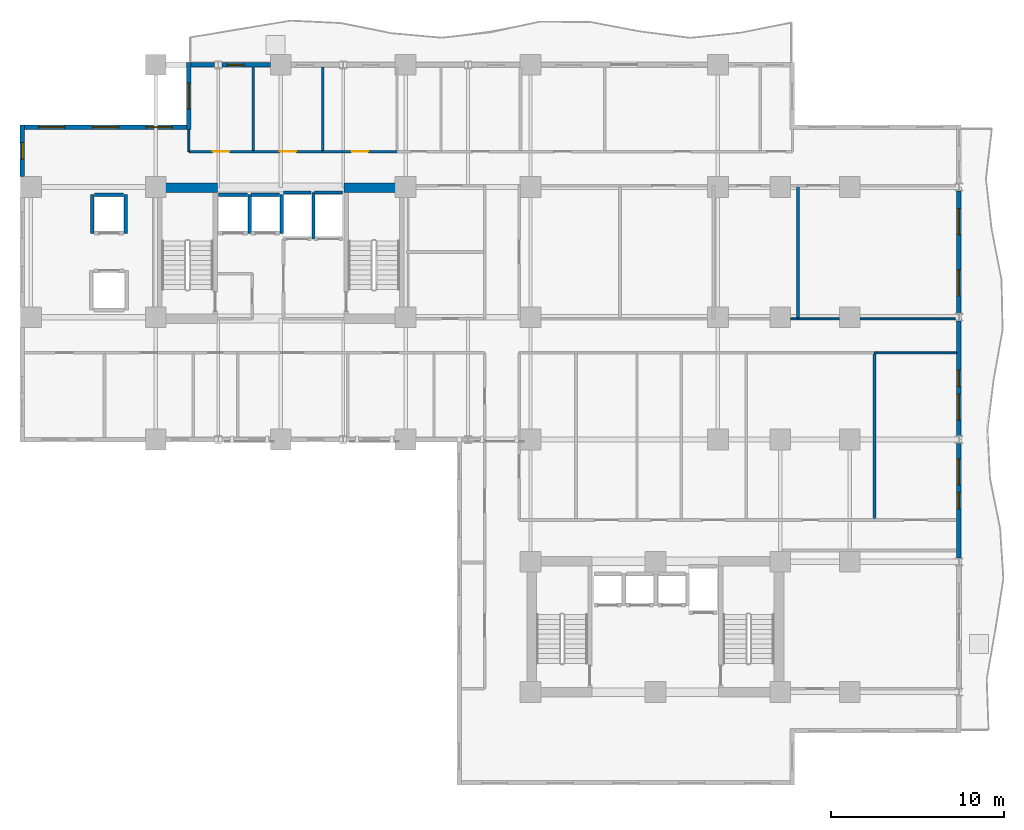
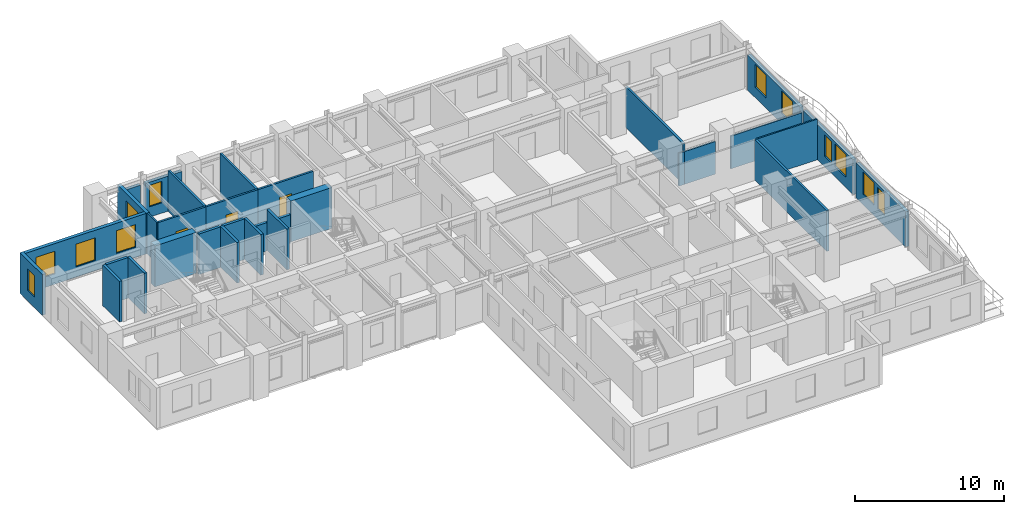
# One storey, part 6 of 11: 32 walls, 12 windows, 3 doors, 15 openings.
"""IFC4 building model written with IfcOpenShell, lengths in metres."""

from ifc_helpers import new_model, si_unit, direction, frame, frame_2d, origin, place, context, subcontext, project, spatial, rectangle, extrude, material, layer, layer_set, type_object, element, fill, save


model = new_model("IFC4")

# Units and contexts
model_context = context("Model", 3, precision=1e-05, world=origin(), true_north=direction((0.0, 1.0)))
body_context = subcontext(model_context, "Body", "Model", "MODEL_VIEW")
ifc_project = project(units=[si_unit("LENGTHUNIT", "METRE"), si_unit("AREAUNIT", "SQUARE_METRE"), si_unit("VOLUMEUNIT", "CUBIC_METRE"), si_unit("PLANEANGLEUNIT", "RADIAN"), si_unit("MASSUNIT", "GRAM", prefix="KILO")], contexts=[model_context])

# Site, building, storey
site_placement = place(None, origin())
site = spatial("IfcSite", under=ifc_project, at=site_placement, CompositionType="ELEMENT")
building_placement = place(site_placement, origin())
building = spatial("IfcBuilding", under=site, at=building_placement, Name="Kaliganga Portal Commons", CompositionType="ELEMENT")
storey_placement = place(building_placement, frame((0.0, 0.0, 126.699951171875)))
storey = spatial("IfcBuildingStorey", under=building, at=storey_placement, Name="L32", CompositionType="ELEMENT", Elevation=126.699951171875)

# Walls
ifc_material_1 = material(Name="Concrete C60/75", Category="concrete")
ifc_layer_1 = layer(ifc_material_1, 0.550048828125)
ifc_layer_set_1 = layer_set([ifc_layer_1], Name="Concrete C60/75")
wall_type_1 = type_object("IfcWallType", Name="WL-CORE-550", PredefinedType="SHEAR", material=ifc_layer_set_1)
for number, where, z_axis, x_axis, name in (
    (1, (14.75, 36.125, 0.0), (0.0, 0.0, 1.0), (1.0, 0.0, 0.0), "Core A N-West Shear Wall L32"),
    (2, (25.25, 36.125, 0.0), (0.0, 0.0, 1.0), (1.0, 0.0, 0.0), "Core A N-East Shear Wall L32"),
):
    element("IfcWall", number, at=place(storey_placement, frame(where, z_axis=z_axis, x_axis=x_axis)), inside=storey, type_object=wall_type_1, Name=name, PredefinedType="SHEAR", context=body_context, shape_type="SweptSolid", body=[
        extrude(rectangle(XDim=3.199951171875, YDim=0.550048828125, at=frame_2d((1.60009765625, 0.0))), origin(), (0.0, 0.0, 1.0), 3.340087890625),
    ])

# Wall, openings, windows
ifc_material_2 = material(Name="Insulated Aluminium-Clad Spandrel Assembly", Category="aluminium")
ifc_layer_2 = layer(ifc_material_2, 0.260009765625)
ifc_layer_set_2 = layer_set([ifc_layer_2], Name="Insulated Aluminium-Clad Spandrel Assembly")
wall_type_2 = type_object("IfcWallType", Name="WL-EXT-SPAND-260", PredefinedType="STANDARD", material=ifc_layer_set_2)
wall_1_placement = place(storey_placement, frame((60.699951171875, 21.384033203125, 0.0), z_axis=(0.0, 0.0, 1.0), x_axis=(0.0, -1.0, 0.0)))
wall_1 = element("IfcWall", 3, at=wall_1_placement, inside=storey, type_object=wall_type_2, Name="Exterior Envelope Wall L32 P1-E03-S3", PredefinedType="STANDARD", context=body_context, shape_type="SweptSolid", body=[
    extrude(rectangle(XDim=6.617919921875, YDim=0.260009765625, at=frame_2d((3.30908203125, 0.0))), origin(), (0.0, 0.0, 1.0), 2.8701171875),
])
opening_1_placement = place(wall_1_placement, frame((0.904541015625, 0.0, 0.85009765625)))
opening_1 = element("IfcOpeningElement", 4, at=opening_1_placement, cuts=wall_1, Name="Opening W-02", PredefinedType="OPENING", context=body_context, shape_type="SweptSolid", body=[
    extrude(rectangle(XDim=1.5, YDim=1.85009765625, at=frame_2d((0.75, 0.925048828125))), frame((0.0, 0.14013671875, 0.0), z_axis=(0.0, -1.0, 0.0), x_axis=(1.0, 0.0, 0.0)), (0.0, 0.0, 1.0), 0.280029296875),
])
opening_2_placement = place(wall_1_placement, frame((2.833984375, 0.0, 0.85009765625)))
opening_2 = element("IfcOpeningElement", 5, at=opening_2_placement, cuts=wall_1, Name="Opening W-04", PredefinedType="OPENING", context=body_context, shape_type="SweptSolid", body=[
    extrude(rectangle(XDim=0.949951171875, YDim=1.75, at=frame_2d((0.47509765625, 0.875))), frame((0.0, 0.14013671875, 0.0), z_axis=(0.0, -1.0, 0.0), x_axis=(1.0, 0.0, 0.0)), (0.0, 0.0, 1.0), 0.280029296875),
])
ifc_material_3 = material(Name="Thermally Broken Aluminium and Low-E Double Glazing", Category="aluminium")
window_type_1 = type_object("IfcWindowType", Name="WIN-NARROW-950", PartitioningType="SINGLE_PANEL", PredefinedType="WINDOW", material=ifc_material_3)
window_1_placement = place(opening_2_placement, origin())
window_1 = element("IfcWindow", 6, at=window_1_placement, inside=storey, type_object=window_type_1, Name="Facade Window L32-P1E03S3-N0", OverallHeight=1.75, OverallWidth=0.949951171875, PartitioningType="SINGLE_PANEL", PredefinedType="WINDOW", context=body_context, shape_type="SweptSolid", body=[
    extrude(rectangle(XDim=0.949951171875, YDim=1.75, at=frame_2d((0.47509765625, 0.875))), frame((0.0, 0.030029296875, 0.0), z_axis=(0.0, -1.0, 0.0), x_axis=(1.0, 0.0, 0.0)), (0.0, 0.0, 1.0), 0.06005859375),
])
fill(opening_2, window_1)
window_type_2 = type_object("IfcWindowType", Name="WIN-STD-1500", PartitioningType="DOUBLE_PANEL_VERTICAL", PredefinedType="WINDOW", material=ifc_material_3)
window_2_placement = place(opening_1_placement, origin())
window_2 = element("IfcWindow", 7, at=window_2_placement, inside=storey, type_object=window_type_2, Name="Facade Window L32-P1E03S3-00", OverallHeight=1.85009765625, OverallWidth=1.5, PartitioningType="SINGLE_PANEL", PredefinedType="WINDOW", context=body_context, shape_type="SweptSolid", body=[
    extrude(rectangle(XDim=1.5, YDim=1.85009765625, at=frame_2d((0.75, 0.925048828125))), frame((0.0, 0.030029296875, 0.0), z_axis=(0.0, -1.0, 0.0), x_axis=(1.0, 0.0, 0.0)), (0.0, 0.0, 1.0), 0.06005859375),
])
fill(opening_1, window_2)

wall_2_placement = place(storey_placement, frame((60.699951171875, 28.43408203125, 0.0), z_axis=(0.0, 0.0, 1.0), x_axis=(0.0, -1.0, 0.0)))
wall_2 = element("IfcWall", 8, at=wall_2_placement, inside=storey, type_object=wall_type_2, Name="Exterior Envelope Wall L32 P1-E03-S4", PredefinedType="STANDARD", context=body_context, shape_type="SweptSolid", body=[
    extrude(rectangle(XDim=6.6181640625, YDim=0.260009765625, at=frame_2d((3.30908203125, 0.0))), origin(), (0.0, 0.0, 1.0), 2.8701171875),
])
opening_3_placement = place(wall_2_placement, frame((4.21337890625, 0.0, 0.85009765625)))
opening_3 = element("IfcOpeningElement", 9, at=opening_3_placement, cuts=wall_2, Name="Opening W-02", PredefinedType="OPENING", context=body_context, shape_type="SweptSolid", body=[
    extrude(rectangle(XDim=1.5, YDim=1.85009765625, at=frame_2d((0.75, 0.925048828125))), frame((0.0, 0.14013671875, 0.0), z_axis=(0.0, -1.0, 0.0), x_axis=(1.0, 0.0, 0.0)), (0.0, 0.0, 1.0), 0.280029296875),
])
opening_4_placement = place(wall_2_placement, frame((2.833984375, 0.0, 0.85009765625)))
opening_4 = element("IfcOpeningElement", 10, at=opening_4_placement, cuts=wall_2, Name="Opening W-04", PredefinedType="OPENING", context=body_context, shape_type="SweptSolid", body=[
    extrude(rectangle(XDim=0.949951171875, YDim=1.75, at=frame_2d((0.47509765625, 0.875))), frame((0.0, 0.14013671875, 0.0), z_axis=(0.0, -1.0, 0.0), x_axis=(1.0, 0.0, 0.0)), (0.0, 0.0, 1.0), 0.280029296875),
])
window_3_placement = place(opening_4_placement, origin())
window_3 = element("IfcWindow", 11, at=window_3_placement, inside=storey, type_object=window_type_1, Name="Facade Window L32-P1E03S4-N0", OverallHeight=1.75, OverallWidth=0.949951171875, PartitioningType="SINGLE_PANEL", PredefinedType="WINDOW", context=body_context, shape_type="SweptSolid", body=[
    extrude(rectangle(XDim=0.949951171875, YDim=1.75, at=frame_2d((0.47509765625, 0.875))), frame((0.0, 0.030029296875, 0.0), z_axis=(0.0, -1.0, 0.0), x_axis=(1.0, 0.0, 0.0)), (0.0, 0.0, 1.0), 0.06005859375),
])
fill(opening_4, window_3)
window_4_placement = place(opening_3_placement, origin())
window_4 = element("IfcWindow", 12, at=window_4_placement, inside=storey, type_object=window_type_2, Name="Facade Window L32-P1E03S4-01", OverallHeight=1.85009765625, OverallWidth=1.5, PartitioningType="SINGLE_PANEL", PredefinedType="WINDOW", context=body_context, shape_type="SweptSolid", body=[
    extrude(rectangle(XDim=1.5, YDim=1.85009765625, at=frame_2d((0.75, 0.925048828125))), frame((0.0, 0.030029296875, 0.0), z_axis=(0.0, -1.0, 0.0), x_axis=(1.0, 0.0, 0.0)), (0.0, 0.0, 1.0), 0.06005859375),
])
fill(opening_3, window_4)

wall_3_placement = place(storey_placement, frame((60.699951171875, 35.93408203125, 0.0), z_axis=(0.0, 0.0, 1.0), x_axis=(0.0, -1.0, 0.0)))
wall_3 = element("IfcWall", 13, at=wall_3_placement, inside=storey, type_object=wall_type_2, Name="Exterior Envelope Wall L32 P1-E03-S5", PredefinedType="STANDARD", context=body_context, shape_type="SweptSolid", body=[
    extrude(rectangle(XDim=7.068115234375, YDim=0.260009765625, at=frame_2d((3.5341796875, 0.0))), origin(), (0.0, 0.0, 1.0), 2.8701171875),
])
opening_5_placement = place(wall_3_placement, frame((1.01708984375, 0.0, 0.85009765625)))
opening_5 = element("IfcOpeningElement", 14, at=opening_5_placement, cuts=wall_3, Name="Opening W-02", PredefinedType="OPENING", context=body_context, shape_type="SweptSolid", body=[
    extrude(rectangle(XDim=1.5, YDim=1.85009765625, at=frame_2d((0.75, 0.925048828125))), frame((0.0, 0.14013671875, 0.0), z_axis=(0.0, -1.0, 0.0), x_axis=(1.0, 0.0, 0.0)), (0.0, 0.0, 1.0), 0.280029296875),
])
opening_6_placement = place(wall_3_placement, frame((4.551025390625, 0.0, 0.85009765625)))
opening_6 = element("IfcOpeningElement", 15, at=opening_6_placement, cuts=wall_3, Name="Opening W-02", PredefinedType="OPENING", context=body_context, shape_type="SweptSolid", body=[
    extrude(rectangle(XDim=1.5, YDim=1.85009765625, at=frame_2d((0.75, 0.925048828125))), frame((0.0, 0.14013671875, 0.0), z_axis=(0.0, -1.0, 0.0), x_axis=(1.0, 0.0, 0.0)), (0.0, 0.0, 1.0), 0.280029296875),
])
window_5_placement = place(opening_5_placement, origin())
window_5 = element("IfcWindow", 16, at=window_5_placement, inside=storey, type_object=window_type_2, Name="Facade Window L32-P1E03S5-00", OverallHeight=1.85009765625, OverallWidth=1.5, PartitioningType="SINGLE_PANEL", PredefinedType="WINDOW", context=body_context, shape_type="SweptSolid", body=[
    extrude(rectangle(XDim=1.5, YDim=1.85009765625, at=frame_2d((0.75, 0.925048828125))), frame((0.0, 0.030029296875, 0.0), z_axis=(0.0, -1.0, 0.0), x_axis=(1.0, 0.0, 0.0)), (0.0, 0.0, 1.0), 0.06005859375),
])
fill(opening_5, window_5)
window_6_placement = place(opening_6_placement, origin())
window_6 = element("IfcWindow", 17, at=window_6_placement, inside=storey, type_object=window_type_2, Name="Facade Window L32-P1E03S5-01", OverallHeight=1.85009765625, OverallWidth=1.5, PartitioningType="SINGLE_PANEL", PredefinedType="WINDOW", context=body_context, shape_type="SweptSolid", body=[
    extrude(rectangle(XDim=1.5, YDim=1.85009765625, at=frame_2d((0.75, 0.925048828125))), frame((0.0, 0.030029296875, 0.0), z_axis=(0.0, -1.0, 0.0), x_axis=(1.0, 0.0, 0.0)), (0.0, 0.0, 1.0), 0.06005859375),
])
fill(opening_6, window_6)

# Wall, opening, window
wall_4_placement = place(storey_placement, frame((18.20556640625, 43.199951171875, 0.0), z_axis=(0.0, 0.0, 1.0), x_axis=(1.0, 0.0, 0.0)))
wall_4 = element("IfcWall", 18, at=wall_4_placement, inside=storey, type_object=wall_type_2, Name="Exterior Envelope Wall L32 P1-E06-S7", PredefinedType="STANDARD", context=body_context, shape_type="SweptSolid", body=[
    extrude(rectangle(XDim=2.79345703125, YDim=0.260009765625, at=frame_2d((1.396728515625, 0.0))), origin(), (0.0, 0.0, 1.0), 2.8701171875),
])
opening_7_placement = place(wall_4_placement, frame((0.30712890625, 0.0, 0.85009765625)))
opening_7 = element("IfcOpeningElement", 19, at=opening_7_placement, cuts=wall_4, Name="Opening W-04", PredefinedType="OPENING", context=body_context, shape_type="SweptSolid", body=[
    extrude(rectangle(XDim=0.949951171875, YDim=1.75, at=frame_2d((0.47509765625, 0.875))), frame((0.0, 0.14013671875, 0.0), z_axis=(0.0, -1.0, 0.0), x_axis=(1.0, 0.0, 0.0)), (0.0, 0.0, 1.0), 0.280029296875),
])
window_7_placement = place(opening_7_placement, origin())
window_7 = element("IfcWindow", 20, at=window_7_placement, inside=storey, type_object=window_type_1, Name="Facade Window L32-P1E06S7-N3", OverallHeight=1.75, OverallWidth=0.949951171875, PartitioningType="SINGLE_PANEL", PredefinedType="WINDOW", context=body_context, shape_type="SweptSolid", body=[
    extrude(rectangle(XDim=0.949951171875, YDim=1.75, at=frame_2d((0.47509765625, 0.875))), frame((0.0, 0.030029296875, 0.0), z_axis=(0.0, -1.0, 0.0), x_axis=(1.0, 0.0, 0.0)), (0.0, 0.0, 1.0), 0.06005859375),
])
fill(opening_7, window_7)

# Wall
wall_5_placement = place(storey_placement, frame((16.43505859375, 43.199951171875, 0.0), z_axis=(0.0, 0.0, 1.0), x_axis=(1.0, 0.0, 0.0)))
element("IfcWall", 21, at=wall_5_placement, inside=storey, type_object=wall_type_2, Name="Exterior Envelope Wall L32 P1-E06-S8", PredefinedType="STANDARD", context=body_context, shape_type="SweptSolid", body=[
    extrude(rectangle(XDim=1.359375, YDim=0.260009765625, at=frame_2d((0.6796875, 0.0))), origin(), (0.0, 0.0, 1.0), 2.8701171875),
])

# Wall, opening, window
wall_6_placement = place(storey_placement, frame((16.300048828125, 39.469970703125, 0.0), z_axis=(0.0, 0.0, 1.0), x_axis=(0.0, 1.0, 0.0)))
wall_6 = element("IfcWall", 22, at=wall_6_placement, inside=storey, type_object=wall_type_2, Name="Exterior Envelope Wall L32 P1-E07-S1", PredefinedType="STANDARD", context=body_context, shape_type="SweptSolid", body=[
    extrude(rectangle(XDim=3.860107421875, YDim=0.260009765625, at=frame_2d((1.93017578125, 0.0))), origin(), (0.0, 0.0, 1.0), 3.320068359375),
])
opening_8_placement = place(wall_6_placement, frame((1.179931640625, 0.0, 0.85009765625)))
opening_8 = element("IfcOpeningElement", 23, at=opening_8_placement, cuts=wall_6, Name="Opening W-02", PredefinedType="OPENING", context=body_context, shape_type="SweptSolid", body=[
    extrude(rectangle(XDim=1.5, YDim=1.85009765625, at=frame_2d((0.75, 0.925048828125))), frame((0.0, 0.14013671875, 0.0), z_axis=(0.0, -1.0, 0.0), x_axis=(1.0, 0.0, 0.0)), (0.0, 0.0, 1.0), 0.280029296875),
])
window_8_placement = place(opening_8_placement, origin())
window_8 = element("IfcWindow", 24, at=window_8_placement, inside=storey, type_object=window_type_2, Name="Facade Window L32-P1E07S1-00", OverallHeight=1.85009765625, OverallWidth=1.5, PartitioningType="SINGLE_PANEL", PredefinedType="WINDOW", context=body_context, shape_type="SweptSolid", body=[
    extrude(rectangle(XDim=1.5, YDim=1.85009765625, at=frame_2d((0.75, 0.925048828125))), frame((0.0, 0.030029296875, 0.0), z_axis=(0.0, -1.0, 0.0), x_axis=(1.0, 0.0, 0.0)), (0.0, 0.0, 1.0), 0.06005859375),
])
fill(opening_8, window_8)

# Wall, openings, windows
wall_7_placement = place(storey_placement, frame((6.8349609375, 39.60009765625, 0.0), z_axis=(0.0, 0.0, 1.0), x_axis=(1.0, 0.0, 0.0)))
wall_7 = element("IfcWall", 25, at=wall_7_placement, inside=storey, type_object=wall_type_2, Name="Exterior Envelope Wall L32 P1-E08-S1", PredefinedType="STANDARD", context=body_context, shape_type="SweptSolid", body=[
    extrude(rectangle(XDim=9.330078125, YDim=0.260009765625, at=frame_2d((4.6650390625, 0.0))), origin(), (0.0, 0.0, 1.0), 3.320068359375),
])
opening_9_placement = place(wall_7_placement, frame((0.804931640625, 0.0, 0.85009765625)))
opening_9 = element("IfcOpeningElement", 26, at=opening_9_placement, cuts=wall_7, Name="Opening W-02", PredefinedType="OPENING", context=body_context, shape_type="SweptSolid", body=[
    extrude(rectangle(XDim=1.5, YDim=1.85009765625, at=frame_2d((0.75, 0.925048828125))), frame((0.0, 0.14013671875, 0.0), z_axis=(0.0, -1.0, 0.0), x_axis=(1.0, 0.0, 0.0)), (0.0, 0.0, 1.0), 0.280029296875),
])
opening_10_placement = place(wall_7_placement, frame((3.9150390625, 0.0, 0.85009765625)))
opening_10 = element("IfcOpeningElement", 27, at=opening_10_placement, cuts=wall_7, Name="Opening W-02", PredefinedType="OPENING", context=body_context, shape_type="SweptSolid", body=[
    extrude(rectangle(XDim=1.5, YDim=1.85009765625, at=frame_2d((0.75, 0.925048828125))), frame((0.0, 0.14013671875, 0.0), z_axis=(0.0, -1.0, 0.0), x_axis=(1.0, 0.0, 0.0)), (0.0, 0.0, 1.0), 0.280029296875),
])
opening_11_placement = place(wall_7_placement, frame((7.02490234375, 0.0, 0.85009765625)))
opening_11 = element("IfcOpeningElement", 28, at=opening_11_placement, cuts=wall_7, Name="Opening W-02", PredefinedType="OPENING", context=body_context, shape_type="SweptSolid", body=[
    extrude(rectangle(XDim=1.5, YDim=1.85009765625, at=frame_2d((0.75, 0.925048828125))), frame((0.0, 0.14013671875, 0.0), z_axis=(0.0, -1.0, 0.0), x_axis=(1.0, 0.0, 0.0)), (0.0, 0.0, 1.0), 0.280029296875),
])
window_9_placement = place(opening_9_placement, origin())
window_9 = element("IfcWindow", 29, at=window_9_placement, inside=storey, type_object=window_type_2, Name="Facade Window L32-P1E08S1-00", OverallHeight=1.85009765625, OverallWidth=1.5, PartitioningType="SINGLE_PANEL", PredefinedType="WINDOW", context=body_context, shape_type="SweptSolid", body=[
    extrude(rectangle(XDim=1.5, YDim=1.85009765625, at=frame_2d((0.75, 0.925048828125))), frame((0.0, 0.030029296875, 0.0), z_axis=(0.0, -1.0, 0.0), x_axis=(1.0, 0.0, 0.0)), (0.0, 0.0, 1.0), 0.06005859375),
])
fill(opening_9, window_9)
window_10_placement = place(opening_10_placement, origin())
window_10 = element("IfcWindow", 30, at=window_10_placement, inside=storey, type_object=window_type_2, Name="Facade Window L32-P1E08S1-01", OverallHeight=1.85009765625, OverallWidth=1.5, PartitioningType="SINGLE_PANEL", PredefinedType="WINDOW", context=body_context, shape_type="SweptSolid", body=[
    extrude(rectangle(XDim=1.5, YDim=1.85009765625, at=frame_2d((0.75, 0.925048828125))), frame((0.0, 0.030029296875, 0.0), z_axis=(0.0, -1.0, 0.0), x_axis=(1.0, 0.0, 0.0)), (0.0, 0.0, 1.0), 0.06005859375),
])
fill(opening_10, window_10)
window_11_placement = place(opening_11_placement, origin())
window_11 = element("IfcWindow", 31, at=window_11_placement, inside=storey, type_object=window_type_2, Name="Facade Window L32-P1E08S1-02", OverallHeight=1.85009765625, OverallWidth=1.5, PartitioningType="SINGLE_PANEL", PredefinedType="WINDOW", context=body_context, shape_type="SweptSolid", body=[
    extrude(rectangle(XDim=1.5, YDim=1.85009765625, at=frame_2d((0.75, 0.925048828125))), frame((0.0, 0.030029296875, 0.0), z_axis=(0.0, -1.0, 0.0), x_axis=(1.0, 0.0, 0.0)), (0.0, 0.0, 1.0), 0.06005859375),
])
fill(opening_11, window_11)

# Wall, opening, window
wall_8_placement = place(storey_placement, frame((6.699951171875, 36.7509765625, 0.0), z_axis=(0.0, 0.0, 1.0), x_axis=(0.0, 1.0, 0.0)))
wall_8 = element("IfcWall", 32, at=wall_8_placement, inside=storey, type_object=wall_type_2, Name="Exterior Envelope Wall L32 P1-E09-S1", PredefinedType="STANDARD", context=body_context, shape_type="SweptSolid", body=[
    extrude(rectangle(XDim=2.97900390625, YDim=0.260009765625, at=frame_2d((1.489501953125, 0.0))), origin(), (0.0, 0.0, 1.0), 3.320068359375),
])
opening_12_placement = place(wall_8_placement, frame((1.014404296875, 0.0, 0.85009765625)))
opening_12 = element("IfcOpeningElement", 33, at=opening_12_placement, cuts=wall_8, Name="Opening W-04", PredefinedType="OPENING", context=body_context, shape_type="SweptSolid", body=[
    extrude(rectangle(XDim=0.949951171875, YDim=1.75, at=frame_2d((0.47509765625, 0.875))), frame((0.0, 0.14013671875, 0.0), z_axis=(0.0, -1.0, 0.0), x_axis=(1.0, 0.0, 0.0)), (0.0, 0.0, 1.0), 0.280029296875),
])
window_12_placement = place(opening_12_placement, origin())
window_12 = element("IfcWindow", 34, at=window_12_placement, inside=storey, type_object=window_type_1, Name="Facade Window L32-P1E09S1-00", OverallHeight=1.75, OverallWidth=0.949951171875, PartitioningType="SINGLE_PANEL", PredefinedType="WINDOW", context=body_context, shape_type="SweptSolid", body=[
    extrude(rectangle(XDim=0.949951171875, YDim=1.75, at=frame_2d((0.47509765625, 0.875))), frame((0.0, 0.030029296875, 0.0), z_axis=(0.0, -1.0, 0.0), x_axis=(1.0, 0.0, 0.0)), (0.0, 0.0, 1.0), 0.06005859375),
])
fill(opening_12, window_12)

# Wall, opening, door
ifc_material_4 = material(Name="Fire-Rated Gypsum Board on Steel Stud", Category="steel")
ifc_layer_3 = layer(ifc_material_4, 0.14990234375)
ifc_layer_set_3 = layer_set([ifc_layer_3], Name="Fire-Rated Gypsum Board on Steel Stud")
wall_type_3 = type_object("IfcWallType", Name="WL-PART-CORR-150", PredefinedType="PARTITIONING", material=ifc_layer_set_3)
wall_9_placement = place(storey_placement, frame((24.02001953125, 38.199951171875, 0.0), z_axis=(0.0, 0.0, 1.0), x_axis=(1.0, 0.0, 0.0)))
wall_9 = element("IfcWall", 35, at=wall_9_placement, inside=storey, type_object=wall_type_3, Name="Interior Partition L32-026", PredefinedType="PARTITIONING", context=body_context, shape_type="SweptSolid", body=[
    extrude(rectangle(XDim=4.280029296875, YDim=0.14990234375, at=frame_2d((2.14013671875, 0.0))), origin(), (0.0, 0.0, 1.0), 3.320068359375),
])
opening_13_placement = place(wall_9_placement, frame((1.6650390625, 0.0, 0.0)))
opening_13 = element("IfcOpeningElement", 36, at=opening_13_placement, cuts=wall_9, Name="Opening UD-01", PredefinedType="OPENING", context=body_context, shape_type="SweptSolid", body=[
    extrude(rectangle(XDim=0.949951171875, YDim=2.10009765625, at=frame_2d((0.47509765625, 1.050048828125))), frame((0.0, 0.0849609375, 0.0), z_axis=(0.0, -1.0, 0.0), x_axis=(1.0, 0.0, 0.0)), (0.0, 0.0, 1.0), 0.169921875),
])
ifc_material_5 = material(Name="Solid-Core Timber Acoustic Fire Door", Category="wood")
door_type = type_object("IfcDoorType", Name="DR-UNIT-950", OperationType="NOTDEFINED", PredefinedType="DOOR", material=ifc_material_5)
door_1_placement = place(opening_13_placement, origin())
door_1 = element("IfcDoor", 37, at=door_1_placement, inside=storey, type_object=door_type, Name="Interior Door L32-AN03", OperationType="SINGLE_SWING_RIGHT", OverallHeight=2.10009765625, OverallWidth=0.949951171875, PredefinedType="DOOR", context=body_context, shape_type="SweptSolid", body=[
    extrude(rectangle(XDim=0.949951171875, YDim=2.10009765625, at=frame_2d((0.47509765625, 1.050048828125))), frame((0.0, 0.02490234375, 0.0), z_axis=(0.0, -1.0, 0.0), x_axis=(1.0, 0.0, 0.0)), (0.0, 0.0, 1.0), 0.050048828125),
])
fill(opening_13, door_1)

wall_10_placement = place(storey_placement, frame((20.02001953125, 38.199951171875, 0.0), z_axis=(0.0, 0.0, 1.0), x_axis=(1.0, 0.0, 0.0)))
wall_10 = element("IfcWall", 38, at=wall_10_placement, inside=storey, type_object=wall_type_3, Name="Interior Partition L32-027", PredefinedType="PARTITIONING", context=body_context, shape_type="SweptSolid", body=[
    extrude(rectangle(XDim=4.0, YDim=0.14990234375, at=frame_2d((2.0, 0.0))), origin(), (0.0, 0.0, 1.0), 3.320068359375),
])
opening_14_placement = place(wall_10_placement, frame((1.52490234375, 0.0, 0.0)))
opening_14 = element("IfcOpeningElement", 39, at=opening_14_placement, cuts=wall_10, Name="Opening UD-01", PredefinedType="OPENING", context=body_context, shape_type="SweptSolid", body=[
    extrude(rectangle(XDim=0.949951171875, YDim=2.10009765625, at=frame_2d((0.47509765625, 1.050048828125))), frame((0.0, 0.0849609375, 0.0), z_axis=(0.0, -1.0, 0.0), x_axis=(1.0, 0.0, 0.0)), (0.0, 0.0, 1.0), 0.169921875),
])
door_2_placement = place(opening_14_placement, origin())
door_2 = element("IfcDoor", 40, at=door_2_placement, inside=storey, type_object=door_type, Name="Interior Door L32-AN02", OperationType="SINGLE_SWING_LEFT", OverallHeight=2.10009765625, OverallWidth=0.949951171875, PredefinedType="DOOR", context=body_context, shape_type="SweptSolid", body=[
    extrude(rectangle(XDim=0.949951171875, YDim=2.10009765625, at=frame_2d((0.47509765625, 1.050048828125))), frame((0.0, 0.02490234375, 0.0), z_axis=(0.0, -1.0, 0.0), x_axis=(1.0, 0.0, 0.0)), (0.0, 0.0, 1.0), 0.050048828125),
])
fill(opening_14, door_2)

wall_11_placement = place(storey_placement, frame((16.300048828125, 38.199951171875, 0.0), z_axis=(0.0, 0.0, 1.0), x_axis=(1.0, 0.0, 0.0)))
wall_11 = element("IfcWall", 41, at=wall_11_placement, inside=storey, type_object=wall_type_3, Name="Interior Partition L32-031", PredefinedType="PARTITIONING", context=body_context, shape_type="SweptSolid", body=[
    extrude(rectangle(XDim=3.719970703125, YDim=0.14990234375, at=frame_2d((1.85986328125, 0.0))), origin(), (0.0, 0.0, 1.0), 3.320068359375),
])
opening_15_placement = place(wall_11_placement, frame((1.385009765625, 0.0, 0.0)))
opening_15 = element("IfcOpeningElement", 42, at=opening_15_placement, cuts=wall_11, Name="Opening UD-01", PredefinedType="OPENING", context=body_context, shape_type="SweptSolid", body=[
    extrude(rectangle(XDim=0.949951171875, YDim=2.10009765625, at=frame_2d((0.47509765625, 1.050048828125))), frame((0.0, 0.0849609375, 0.0), z_axis=(0.0, -1.0, 0.0), x_axis=(1.0, 0.0, 0.0)), (0.0, 0.0, 1.0), 0.169921875),
])
door_3_placement = place(opening_15_placement, origin())
door_3 = element("IfcDoor", 43, at=door_3_placement, inside=storey, type_object=door_type, Name="Interior Door L32-AN01", OperationType="SINGLE_SWING_LEFT", OverallHeight=2.10009765625, OverallWidth=0.949951171875, PredefinedType="DOOR", context=body_context, shape_type="SweptSolid", body=[
    extrude(rectangle(XDim=0.949951171875, YDim=2.10009765625, at=frame_2d((0.47509765625, 1.050048828125))), frame((0.0, 0.02490234375, 0.0), z_axis=(0.0, -1.0, 0.0), x_axis=(1.0, 0.0, 0.0)), (0.0, 0.0, 1.0), 0.050048828125),
])
fill(opening_15, door_3)

# Walls
ifc_material_6 = material(Name="Moisture-Resistant Gypsum Partition", Category="gypsum")
ifc_layer_4 = layer(ifc_material_6, 0.114990234375)
ifc_layer_set_4 = layer_set([ifc_layer_4], Name="Moisture-Resistant Gypsum Partition")
wall_type_4 = type_object("IfcWallType", Name="WL-PART-ROOM-115", PredefinedType="PARTITIONING", material=ifc_layer_set_4)
wall_12_placement = place(storey_placement, frame((51.419921875, 28.56005859375, 0.0), z_axis=(0.0, 0.0, 1.0), x_axis=(1.0, 0.0, 0.0)))
element("IfcWall", 44, at=wall_12_placement, inside=storey, type_object=wall_type_4, Name="Interior Partition L32-048", PredefinedType="PARTITIONING", context=body_context, shape_type="SweptSolid", body=[
    extrude(rectangle(XDim=2.380126953125, YDim=0.114990234375, at=frame_2d((1.18994140625, 0.0))), origin(), (0.0, 0.0, 1.0), 2.670166015625),
])
wall_13_placement = place(storey_placement, frame((55.0, 28.56005859375, 0.0), z_axis=(0.0, 0.0, 1.0), x_axis=(1.0, 0.0, 0.0)))
element("IfcWall", 45, at=wall_13_placement, inside=storey, type_object=wall_type_4, Name="Interior Partition L32-049", PredefinedType="PARTITIONING", context=body_context, shape_type="SweptSolid", body=[
    extrude(rectangle(XDim=5.49560546875, YDim=0.114990234375, at=frame_2d((2.747802734375, 0.0))), origin(), (0.0, 0.0, 1.0), 2.670166015625),
])
wall_14_placement = place(storey_placement, frame((16.300048828125, 38.199951171875, 0.0), z_axis=(0.0, 0.0, 1.0), x_axis=(0.0, 1.0, 0.0)))
element("IfcWall", 46, at=wall_14_placement, inside=storey, type_object=wall_type_4, Name="Interior Partition L32-057", PredefinedType="PARTITIONING", context=body_context, shape_type="SweptSolid", body=[
    extrude(rectangle(XDim=1.26806640625, YDim=0.114990234375, at=frame_2d((0.634033203125, 0.0))), origin(), (0.0, 0.0, 1.0), 3.320068359375),
])
wall_15_placement = place(storey_placement, frame((55.820068359375, 26.60009765625, 0.0), z_axis=(0.0, 0.0, 1.0), x_axis=(1.0, 0.0, 0.0)))
element("IfcWall", 47, at=wall_15_placement, inside=storey, type_object=wall_type_4, Name="Interior Partition L32-070", PredefinedType="PARTITIONING", context=body_context, shape_type="SweptSolid", body=[
    extrude(rectangle(XDim=4.748046875, YDim=0.114990234375, at=frame_2d((2.3740234375, 0.0))), origin(), (0.0, 0.0, 1.0), 3.320068359375),
])
wall_16_placement = place(storey_placement, frame((51.0, 28.56005859375, 0.0), z_axis=(0.0, 0.0, 1.0), x_axis=(1.0, 0.0, 0.0)))
element("IfcWall", 48, at=wall_16_placement, inside=storey, type_object=wall_type_4, Name="Interior Partition L32-072", PredefinedType="PARTITIONING", context=body_context, shape_type="SweptSolid", body=[
    extrude(rectangle(XDim=0.419921875, YDim=0.114990234375, at=frame_2d((0.2099609375, 0.0))), origin(), (0.0, 0.0, 1.0), 2.670166015625),
])
ifc_material_7 = material(Name="Twin-Stud Acoustic Gypsum Partition", Category="gypsum")
ifc_layer_5 = layer(ifc_material_7, 0.1650390625)
ifc_layer_set_5 = layer_set([ifc_layer_5], Name="Twin-Stud Acoustic Gypsum Partition")
wall_type_5 = type_object("IfcWallType", Name="WL-PART-UNIT-165", PredefinedType="PARTITIONING", material=ifc_layer_set_5)
wall_17_placement = place(storey_placement, frame((55.820068359375, 16.9599609375, 0.0), z_axis=(0.0, 0.0, 1.0), x_axis=(0.0, 1.0, 0.0)))
element("IfcWall", 49, at=wall_17_placement, inside=storey, type_object=wall_type_5, Name="Interior Partition L32-047", PredefinedType="PARTITIONING", context=body_context, shape_type="SweptSolid", body=[
    extrude(rectangle(XDim=9.64013671875, YDim=0.1650390625, at=frame_2d((4.820068359375, 0.0))), origin(), (0.0, 0.0, 1.0), 3.320068359375),
])
wall_18_placement = place(storey_placement, frame((51.419921875, 28.56005859375, 0.0), z_axis=(0.0, 0.0, 1.0), x_axis=(0.0, 1.0, 0.0)))
element("IfcWall", 50, at=wall_18_placement, inside=storey, type_object=wall_type_5, Name="Interior Partition L32-052", PredefinedType="PARTITIONING", context=body_context, shape_type="SweptSolid", body=[
    extrude(rectangle(XDim=7.679931640625, YDim=0.1650390625, at=frame_2d((3.83984375, 0.0))), origin(), (0.0, 0.0, 1.0), 3.320068359375),
])
for number, where, z_axis, x_axis, name in (
    (51, (20.02001953125, 38.199951171875, 0.0), (0.0, 0.0, 1.0), (0.0, 1.0, 0.0), "Interior Partition L32-060"),
    (52, (24.02001953125, 38.199951171875, 0.0), (0.0, 0.0, 1.0), (0.0, 1.0, 0.0), "Interior Partition L32-061"),
):
    element("IfcWall", number, at=place(storey_placement, frame(where, z_axis=z_axis, x_axis=x_axis)), inside=storey, type_object=wall_type_5, Name=name, PredefinedType="PARTITIONING", context=body_context, shape_type="SweptSolid", body=[
        extrude(rectangle(XDim=4.8681640625, YDim=0.1650390625, at=frame_2d((2.43408203125, 0.0))), origin(), (0.0, 0.0, 1.0), 3.320068359375),
    ])
ifc_material_8 = material(Name="Fire-Rated Shaftwall Masonry Assembly", Category="masonry")
ifc_layer_6 = layer(ifc_material_8, 0.199951171875)
ifc_layer_set_6 = layer_set([ifc_layer_6], Name="Fire-Rated Shaftwall Masonry Assembly")
wall_type_6 = type_object("IfcWallType", Name="WL-SHAFT-200", PredefinedType="PARTITIONING", material=ifc_layer_set_6)
wall_19_placement = place(storey_placement, frame((18.02490234375, 35.715087890625, 0.0), z_axis=(0.0, 0.0, 1.0), x_axis=(1.0, 0.0, 0.0)))
element("IfcWall", 53, at=wall_19_placement, inside=storey, type_object=wall_type_6, Name="Lift PL-A1 Hoistway Shaft Wall L32-N", PredefinedType="PARTITIONING", context=body_context, shape_type="SweptSolid", body=[
    extrude(rectangle(XDim=1.650146484375, YDim=0.199951171875, at=frame_2d((0.8251953125, 0.0))), origin(), (0.0, 0.0, 1.0), 3.320068359375),
])
wall_20_placement = place(storey_placement, frame((19.81494140625, 33.485107421875, 0.0), z_axis=(0.0, 0.0, 1.0), x_axis=(0.0, 1.0, 0.0)))
element("IfcWall", 54, at=wall_20_placement, inside=storey, type_object=wall_type_6, Name="Lift PL-A1 Hoistway Shaft Wall L32-E", PredefinedType="PARTITIONING", context=body_context, shape_type="SweptSolid", body=[
    extrude(rectangle(XDim=2.22998046875, YDim=0.199951171875, at=frame_2d((1.114990234375, 0.0))), origin(), (0.0, 0.0, 1.0), 3.320068359375),
])
wall_21_placement = place(storey_placement, frame((19.875, 35.715087890625, 0.0), z_axis=(0.0, 0.0, 1.0), x_axis=(1.0, 0.0, 0.0)))
element("IfcWall", 55, at=wall_21_placement, inside=storey, type_object=wall_type_6, Name="Lift PL-A2 Hoistway Shaft Wall L32-N", PredefinedType="PARTITIONING", context=body_context, shape_type="SweptSolid", body=[
    extrude(rectangle(XDim=1.64990234375, YDim=0.199951171875, at=frame_2d((0.824951171875, 0.0))), origin(), (0.0, 0.0, 1.0), 3.320068359375),
])
wall_22_placement = place(storey_placement, frame((21.6650390625, 33.485107421875, 0.0), z_axis=(0.0, 0.0, 1.0), x_axis=(0.0, 1.0, 0.0)))
element("IfcWall", 56, at=wall_22_placement, inside=storey, type_object=wall_type_6, Name="Lift PL-A2 Hoistway Shaft Wall L32-E", PredefinedType="PARTITIONING", context=body_context, shape_type="SweptSolid", body=[
    extrude(rectangle(XDim=2.22998046875, YDim=0.199951171875, at=frame_2d((1.114990234375, 0.0))), origin(), (0.0, 0.0, 1.0), 3.320068359375),
])
wall_23_placement = place(storey_placement, frame((10.875, 35.715087890625, 0.0), z_axis=(0.0, 0.0, 1.0), x_axis=(1.0, 0.0, 0.0)))
element("IfcWall", 57, at=wall_23_placement, inside=storey, type_object=wall_type_6, Name="Lift PL-OBS Hoistway Shaft Wall L32-N", PredefinedType="PARTITIONING", context=body_context, shape_type="SweptSolid", body=[
    extrude(rectangle(XDim=1.64990234375, YDim=0.199951171875, at=frame_2d((0.824951171875, 0.0))), origin(), (0.0, 0.0, 1.0), 3.320068359375),
])
for number, where, z_axis, x_axis, name in (
    (58, (10.735107421875, 33.485107421875, 0.0), (0.0, 0.0, 1.0), (0.0, 1.0, 0.0), "Lift PL-OBS Hoistway Shaft Wall L32-W"),
    (59, (12.6650390625, 33.485107421875, 0.0), (0.0, 0.0, 1.0), (0.0, 1.0, 0.0), "Lift PL-OBS Hoistway Shaft Wall L32-E"),
):
    element("IfcWall", number, at=place(storey_placement, frame(where, z_axis=z_axis, x_axis=x_axis)), inside=storey, type_object=wall_type_6, Name=name, PredefinedType="PARTITIONING", context=body_context, shape_type="SweptSolid", body=[
        extrude(rectangle(XDim=2.22998046875, YDim=0.199951171875, at=frame_2d((1.114990234375, 0.0))), origin(), (0.0, 0.0, 1.0), 3.320068359375),
    ])
wall_24_placement = place(storey_placement, frame((21.75, 35.840087890625, 0.0), z_axis=(0.0, 0.0, 1.0), x_axis=(1.0, 0.0, 0.0)))
element("IfcWall", 60, at=wall_24_placement, inside=storey, type_object=wall_type_6, Name="Lift FFL-1 Hoistway Shaft Wall L32-N", PredefinedType="PARTITIONING", context=body_context, shape_type="SweptSolid", body=[
    extrude(rectangle(XDim=1.60009765625, YDim=0.199951171875, at=frame_2d((0.800048828125, 0.0))), origin(), (0.0, 0.0, 1.0), 2.320068359375),
])
wall_25_placement = place(storey_placement, frame((23.489990234375, 33.159912109375, 0.0), z_axis=(0.0, 0.0, 1.0), x_axis=(0.0, 1.0, 0.0)))
element("IfcWall", 61, at=wall_25_placement, inside=storey, type_object=wall_type_6, Name="Lift FFL-1 Hoistway Shaft Wall L32-E", PredefinedType="PARTITIONING", context=body_context, shape_type="SweptSolid", body=[
    extrude(rectangle(XDim=2.68017578125, YDim=0.199951171875, at=frame_2d((1.340087890625, 0.0))), origin(), (0.0, 0.0, 1.0), 3.320068359375),
])
wall_26_placement = place(storey_placement, frame((23.550048828125, 35.840087890625, 0.0), z_axis=(0.0, 0.0, 1.0), x_axis=(1.0, 0.0, 0.0)))
element("IfcWall", 62, at=wall_26_placement, inside=storey, type_object=wall_type_6, Name="Lift FFL-2 Hoistway Shaft Wall L32-N", PredefinedType="PARTITIONING", context=body_context, shape_type="SweptSolid", body=[
    extrude(rectangle(XDim=1.599853515625, YDim=0.199951171875, at=frame_2d((0.7998046875, 0.0))), origin(), (0.0, 0.0, 1.0), 2.320068359375),
])

save(model, "model.ifc")
